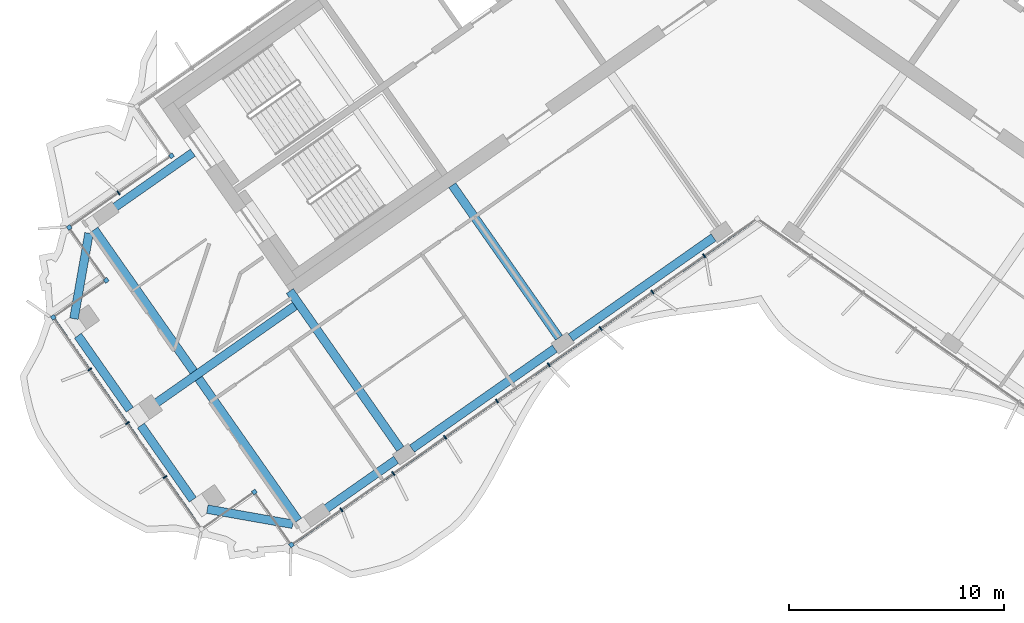
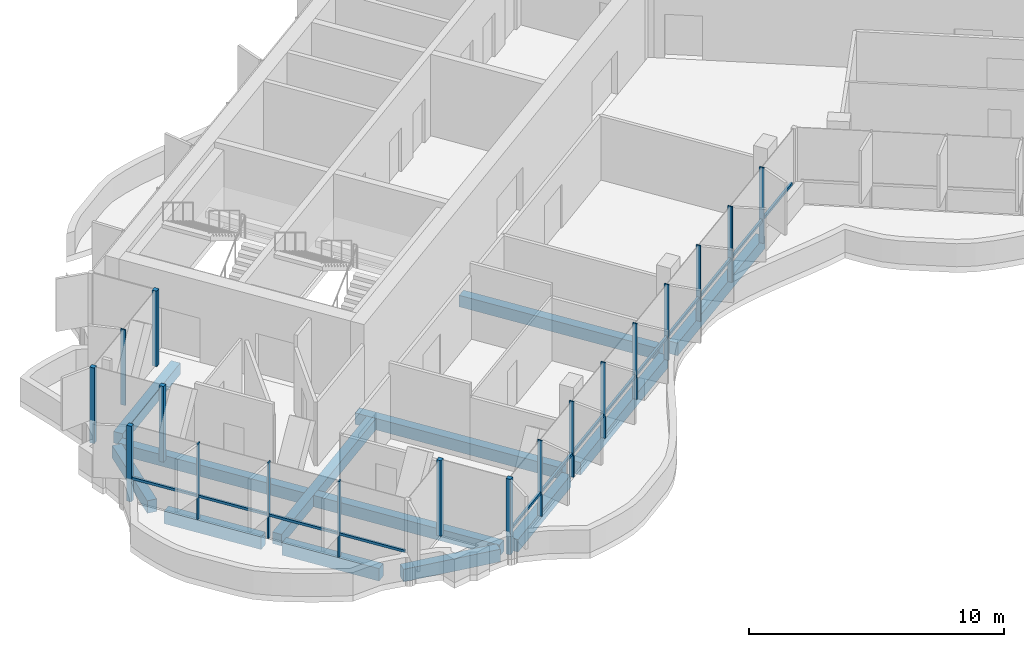
# One storey, part 2 of 17: 20 members, 12 beams, 2 elements without a shape of their own.
"""IFC4 building model written with IfcOpenShell, lengths in metres."""

from ifc_helpers import new_model, si_unit, direction, frame, origin, origin_2d, place, context, subcontext, project, spatial, rectangle, extrude, material, material_profile, profile_set, type_object, element, aggregate, save


model = new_model("IFC4")

# Units and contexts
model_context = context("Model", 3, precision=1e-05, world=origin(), true_north=direction((0.0, 1.0)))
body_context = subcontext(model_context, "Body", "Model", "MODEL_VIEW")
ifc_project = project(units=[si_unit("LENGTHUNIT", "METRE"), si_unit("AREAUNIT", "SQUARE_METRE"), si_unit("VOLUMEUNIT", "CUBIC_METRE"), si_unit("PLANEANGLEUNIT", "RADIAN"), si_unit("MASSUNIT", "GRAM", prefix="KILO")], contexts=[model_context])

# Site, building, storey
site_placement = place(None, origin())
site = spatial("IfcSite", under=ifc_project, at=site_placement, CompositionType="ELEMENT")
building_placement = place(site_placement, origin())
building = spatial("IfcBuilding", under=site, at=building_placement, Name="Tel Ilan Convention Tower", CompositionType="ELEMENT")
storey_placement = place(building_placement, frame((0.0, 0.0, 291.699951171875)))
storey = spatial("IfcBuildingStorey", under=building, at=storey_placement, Name="L69", CompositionType="ELEMENT", Elevation=291.699951171875)

# Beams
ifc_material_1 = material(Name="Concrete C40/50", Category="concrete")
ifc_material_profile_1 = material_profile(ifc_material_1, rectangle(XDim=0.39990234375, YDim=0.550048828125, at=origin_2d()), Name="RC 400x550")
ifc_profile_set_1 = profile_set([ifc_material_profile_1], Name="Concrete C40/50")
beam_type_1 = type_object("IfcBeamType", Name="Beam RC 400x550 Concrete C40/50", PredefinedType="BEAM", material=ifc_profile_set_1)
beam_1_placement = place(storey_placement, frame((-30.6005859375, -12.6982421875, -0.554931640625), z_axis=(0.819146154531, 0.573584847705, 0.0), x_axis=(-0.573584847705, 0.819146154531, 0.0)))
element("IfcBeam", 1, at=beam_1_placement, inside=storey, type_object=beam_type_1, Name="L69 beam W-W-BC-core", PredefinedType="BEAM", context=body_context, shape_type="SweptSolid", body=[
    extrude(rectangle(XDim=0.39990234375, YDim=0.550048828125, at=origin_2d()), origin(), (0.0, 0.0, 1.0), 5.349853515625),
])
beam_2_placement = place(storey_placement, frame((-9.209716796875, -18.229248046875, -0.554931640625), z_axis=(-0.573574099654, 0.819153680457, 0.0), x_axis=(-0.819153680457, -0.573574099654, 0.0)))
element("IfcBeam", 2, at=beam_2_placement, inside=storey, type_object=beam_type_1, Name="L69 beam W-W-F2-core", PredefinedType="BEAM", context=body_context, shape_type="SweptSolid", body=[
    extrude(rectangle(XDim=0.39990234375, YDim=0.550048828125, at=origin_2d()), origin(), (0.0, 0.0, 1.0), 8.64990234375),
])
beam_3_placement = place(storey_placement, frame((-16.58203125, -23.391357421875, -0.554931640625), z_axis=(-0.573584999642, 0.819146048141, 0.0), x_axis=(-0.819146048141, -0.573584999642, 0.0)))
element("IfcBeam", 3, at=beam_3_placement, inside=storey, type_object=beam_type_1, Name="L69 beam W-W-F3-core", PredefinedType="BEAM", context=body_context, shape_type="SweptSolid", body=[
    extrude(rectangle(XDim=0.39990234375, YDim=0.550048828125, at=origin_2d()), origin(), (0.0, 0.0, 1.0), 8.949951171875),
])
beam_4_placement = place(storey_placement, frame((-21.477783203125, -16.748046875, -0.554931640625), z_axis=(-0.819157197737, -0.573569076395, 0.0), x_axis=(0.573569076395, -0.819157197737, 0.0)))
element("IfcBeam", 4, at=beam_4_placement, inside=storey, type_object=beam_type_1, Name="L69 beam W-core-end", PredefinedType="BEAM", context=body_context, shape_type="SweptSolid", body=[
    extrude(rectangle(XDim=0.39990234375, YDim=0.550048828125, at=origin_2d()), origin(), (0.0, 0.0, 1.0), 8.75),
])
beam_5_placement = place(storey_placement, frame((-21.333251953125, -26.718017578125, -0.554931640625), z_axis=(-0.573574554643, 0.819153361872, 0.0), x_axis=(-0.819153361872, -0.573574554643, 0.0)))
element("IfcBeam", 5, at=beam_5_placement, inside=storey, type_object=beam_type_1, Name="L69 beam W-W-FC-W-BC", PredefinedType="BEAM", context=body_context, shape_type="SweptSolid", body=[
    extrude(rectangle(XDim=0.39990234375, YDim=0.550048828125, at=origin_2d()), origin(), (0.0, 0.0, 1.0), 16.499755859375),
])
ifc_material_2 = material(Name="Concrete C40/50", Category="concrete")
ifc_material_profile_2 = material_profile(ifc_material_2, rectangle(XDim=0.39990234375, YDim=0.60009765625, at=origin_2d()), Name="RC 400x600")
ifc_profile_set_2 = profile_set([ifc_material_profile_2], Name="Concrete C40/50")
beam_type_2 = type_object("IfcBeamType", Name="Beam RC 400x600 Concrete C40/50", PredefinedType="BEAM", material=ifc_profile_set_2)
beam_6_placement = place(storey_placement, frame((-2.033935546875, -13.57080078125, -0.579833984375), z_axis=(-0.81914553362, -0.573585734437, 0.0), x_axis=(0.573585734437, -0.81914553362, 0.0)))
element("IfcBeam", 6, at=beam_6_placement, inside=storey, type_object=beam_type_2, Name="L69 beam W-W-F1-W-F2", PredefinedType="BEAM", context=body_context, shape_type="SweptSolid", body=[
    extrude(rectangle(XDim=0.39990234375, YDim=0.60009765625, at=origin_2d()), origin(), (0.0, 0.0, 1.0), 8.099853515625),
])
beam_7_placement = place(storey_placement, frame((-9.40625, -18.73291015625, -0.579833984375), z_axis=(-0.819155449703, -0.573571572885, 0.0), x_axis=(0.573571572885, -0.819155449703, 0.0)))
element("IfcBeam", 7, at=beam_7_placement, inside=storey, type_object=beam_type_2, Name="L69 beam W-W-F2-W-F3", PredefinedType="BEAM", context=body_context, shape_type="SweptSolid", body=[
    extrude(rectangle(XDim=0.39990234375, YDim=0.60009765625, at=origin_2d()), origin(), (0.0, 0.0, 1.0), 8.10009765625),
])
beam_8_placement = place(storey_placement, frame((-16.778564453125, -23.895263671875, -0.579833984375), z_axis=(-0.819154669329, -0.573572687386, 0.0), x_axis=(0.573572687386, -0.819154669329, 0.0)))
element("IfcBeam", 8, at=beam_8_placement, inside=storey, type_object=beam_type_2, Name="L69 beam W-W-F3-W-FC", PredefinedType="BEAM", context=body_context, shape_type="SweptSolid", body=[
    extrude(rectangle(XDim=0.39990234375, YDim=0.60009765625, at=origin_2d()), origin(), (0.0, 0.0, 1.0), 4.900146484375),
])
beam_9_placement = place(storey_placement, frame((-21.578857421875, -26.89013671875, -0.579833984375), z_axis=(-0.984804894423, 0.173664388751, 0.0), x_axis=(-0.173664388751, -0.984804894423, 0.0)))
element("IfcBeam", 9, at=beam_9_placement, inside=storey, type_object=beam_type_2, Name="L69 beam W-W-FC-W-E1", PredefinedType="BEAM", context=body_context, shape_type="SweptSolid", body=[
    extrude(rectangle(XDim=0.39990234375, YDim=0.60009765625, at=origin_2d()), origin(), (0.0, 0.0, 1.0), 4.030517578125),
])
for number, where, z_axis, x_axis, name in (
    (10, (-26.22412109375, -25.748046875, -0.579833984375), (-0.573563773994, 0.819160910421, 0.0), (-0.819160910421, -0.573563773994, 0.0), "L69 beam W-W-E1-W-E2"),
    (11, (-29.1494140625, -21.5703125, -0.579833984375), (-0.573563773994, 0.819160910421, 0.0), (-0.819160910421, -0.573563773994, 0.0), "L69 beam W-W-E2-W-E3"),
):
    element("IfcBeam", number, at=place(storey_placement, frame(where, z_axis=z_axis, x_axis=x_axis)), inside=storey, type_object=beam_type_2, Name=name, PredefinedType="BEAM", context=body_context, shape_type="SweptSolid", body=[
        extrude(rectangle(XDim=0.39990234375, YDim=0.60009765625, at=origin_2d()), origin(), (0.0, 0.0, 1.0), 4.199951171875),
    ])
beam_10_placement = place(storey_placement, frame((-31.742919921875, -17.343505859375, -0.579833984375), z_axis=(0.173664388751, 0.984804894423, 0.0), x_axis=(-0.984804894423, 0.173664388751, 0.0)))
element("IfcBeam", 12, at=beam_10_placement, inside=storey, type_object=beam_type_2, Name="L69 beam W-W-E3-W-BC", PredefinedType="BEAM", context=body_context, shape_type="SweptSolid", body=[
    extrude(rectangle(XDim=0.39990234375, YDim=0.60009765625, at=origin_2d()), origin(), (0.0, 0.0, 1.0), 4.030517578125),
])

# Curtain wall, member
ifc_material_3 = material(Name="Aluminium, bronze anodised", Category="aluminium")
curtain_wall_type_1 = type_object("IfcCurtainWallType", Name="CW2 STICK CURTAIN WALL, SPANDREL PANELS", PredefinedType="NOTDEFINED", material=ifc_material_3)
curtain_wall_1_placement = place(storey_placement, origin())
curtain_wall_1 = element("IfcCurtainWall", 13, at=curtain_wall_1_placement, inside=storey, type_object=curtain_wall_type_1, Name="Curtain wall CW2-52.01", PredefinedType="NOTDEFINED")
ifc_material_4 = material(Name="Aluminium, bronze anodised", Category="aluminium")
ifc_material_profile_3 = material_profile(ifc_material_4, rectangle(XDim=0.199951171875, YDim=0.199951171875, at=origin_2d()), Name="CW CORNER MULLION 200x200")
ifc_profile_set_3 = profile_set([ifc_material_profile_3], Name="Aluminium, bronze anodised")
member_type_1 = type_object("IfcMemberType", Name="CW CORNER MULLION 200x200", PredefinedType="MULLION", material=ifc_profile_set_3)
member_1_placement = place(storey_placement, frame((-27.213623046875, -9.77734375, 0.0), z_axis=(0.0, 0.0, 1.0), x_axis=(0.573576436351, -0.819152044289, 0.0)))
member_1 = element("IfcMember", 14, at=member_1_placement, type_object=member_type_1, Name="Corner mullion", PredefinedType="MULLION", context=body_context, shape_type="SweptSolid", body=[
    extrude(rectangle(XDim=0.199951171875, YDim=0.199951171875, at=origin_2d()), origin(), (0.0, 0.0, 1.0), 3.6201171875),
])
aggregate(curtain_wall_1, [member_1])

# Curtain wall, members
ifc_material_5 = material(Name="Aluminium, bronze anodised", Category="aluminium")
curtain_wall_type_2 = type_object("IfcCurtainWallType", Name="CW5 STICK CURTAIN WALL, UPPER OFFICE LOW-IRON TINTED GLASS", PredefinedType="NOTDEFINED", material=ifc_material_5)
curtain_wall_2_placement = place(storey_placement, origin())
curtain_wall_2 = element("IfcCurtainWall", 15, at=curtain_wall_2_placement, inside=storey, type_object=curtain_wall_type_2, Name="Curtain wall CW5-52.02", PredefinedType="NOTDEFINED")
member_2_placement = place(storey_placement, frame((-31.964599609375, -13.10400390625, 0.0), z_axis=(0.0, 0.0, 1.0), x_axis=(-0.819152044289, -0.573576436351, 0.0)))
member_2 = element("IfcMember", 16, at=member_2_placement, type_object=member_type_1, Name="Corner mullion", PredefinedType="MULLION", context=body_context, shape_type="SweptSolid", body=[
    extrude(rectangle(XDim=0.199951171875, YDim=0.199951171875, at=origin_2d()), origin(), (0.0, 0.0, 1.0), 3.6201171875),
])
member_3_placement = place(storey_placement, frame((-30.243896484375, -15.5615234375, 0.0), z_axis=(0.0, 0.0, 1.0), x_axis=(0.573576436351, -0.819152044289, 0.0)))
member_3 = element("IfcMember", 17, at=member_3_placement, type_object=member_type_1, Name="Corner mullion", PredefinedType="MULLION", context=body_context, shape_type="SweptSolid", body=[
    extrude(rectangle(XDim=0.199951171875, YDim=0.199951171875, at=origin_2d()), origin(), (0.0, 0.0, 1.0), 3.6201171875),
])
member_4_placement = place(storey_placement, frame((-32.701416015625, -17.2822265625, 0.0), z_axis=(0.0, 0.0, 1.0), x_axis=(-0.819152044289, -0.573576436351, 0.0)))
member_4 = element("IfcMember", 18, at=member_4_placement, type_object=member_type_1, Name="Corner mullion", PredefinedType="MULLION", context=body_context, shape_type="SweptSolid", body=[
    extrude(rectangle(XDim=0.199951171875, YDim=0.199951171875, at=origin_2d()), origin(), (0.0, 0.0, 1.0), 3.6201171875),
])
member_5_placement = place(storey_placement, frame((-23.36083984375, -25.391357421875, 0.0), z_axis=(0.0, 0.0, 1.0), x_axis=(0.819152044289, 0.573576436351, 0.0)))
member_5 = element("IfcMember", 19, at=member_5_placement, type_object=member_type_1, Name="Corner mullion", PredefinedType="MULLION", context=body_context, shape_type="SweptSolid", body=[
    extrude(rectangle(XDim=0.199951171875, YDim=0.199951171875, at=origin_2d()), origin(), (0.0, 0.0, 1.0), 3.6201171875),
])
member_6_placement = place(storey_placement, frame((-21.64013671875, -27.8486328125, 0.0), z_axis=(0.0, 0.0, 1.0), x_axis=(0.573576436351, -0.819152044289, 0.0)))
member_6 = element("IfcMember", 20, at=member_6_placement, type_object=member_type_1, Name="Corner mullion", PredefinedType="MULLION", context=body_context, shape_type="SweptSolid", body=[
    extrude(rectangle(XDim=0.199951171875, YDim=0.199951171875, at=origin_2d()), origin(), (0.0, 0.0, 1.0), 3.6201171875),
])
ifc_material_6 = material(Name="Aluminium, bronze anodised", Category="aluminium")
ifc_material_profile_4 = material_profile(ifc_material_6, rectangle(XDim=0.06005859375, YDim=0.199951171875, at=origin_2d()), Name="CW MULLION 60x200")
ifc_profile_set_4 = profile_set([ifc_material_profile_4], Name="Aluminium, bronze anodised")
member_type_2 = type_object("IfcMemberType", Name="CW MULLION 60x200", PredefinedType="MULLION", material=ifc_profile_set_4)
member_7_placement = place(storey_placement, frame((-29.6708984375, -11.498046875, 0.0), z_axis=(0.0, 0.0, 1.0), x_axis=(-0.819152044289, -0.573576436351, 0.0)))
member_7 = element("IfcMember", 21, at=member_7_placement, type_object=member_type_2, Name="Mullion", PredefinedType="MULLION", context=body_context, shape_type="SweptSolid", body=[
    extrude(rectangle(XDim=0.06005859375, YDim=0.199951171875, at=origin_2d()), origin(), (0.0, 0.0, 1.0), 3.6201171875),
])
member_8_placement = place(storey_placement, frame((-31.00927734375, -19.69873046875, 0.0), z_axis=(0.0, 0.0, 1.0), x_axis=(0.573576436351, -0.819152044289, 0.0)))
member_8 = element("IfcMember", 22, at=member_8_placement, type_object=member_type_2, Name="Mullion", PredefinedType="MULLION", context=body_context, shape_type="SweptSolid", body=[
    extrude(rectangle(XDim=0.06005859375, YDim=0.199951171875, at=origin_2d()), origin(), (0.0, 0.0, 1.0), 3.6201171875),
])
member_9_placement = place(storey_placement, frame((-29.259765625, -22.197021484375, 0.0), z_axis=(0.0, 0.0, 1.0), x_axis=(0.573576436351, -0.819152044289, 0.0)))
member_9 = element("IfcMember", 23, at=member_9_placement, type_object=member_type_2, Name="Mullion", PredefinedType="MULLION", context=body_context, shape_type="SweptSolid", body=[
    extrude(rectangle(XDim=0.06005859375, YDim=0.199951171875, at=origin_2d()), origin(), (0.0, 0.0, 1.0), 3.6201171875),
])
member_10_placement = place(storey_placement, frame((-27.510498046875, -24.695556640625, 0.0), z_axis=(0.0, 0.0, 1.0), x_axis=(0.573576436351, -0.819152044289, 0.0)))
member_10 = element("IfcMember", 24, at=member_10_placement, type_object=member_type_2, Name="Mullion", PredefinedType="MULLION", context=body_context, shape_type="SweptSolid", body=[
    extrude(rectangle(XDim=0.06005859375, YDim=0.199951171875, at=origin_2d()), origin(), (0.0, 0.0, 1.0), 3.6201171875),
])
member_11_placement = place(storey_placement, frame((-19.31494140625, -26.220458984375, 0.0), z_axis=(0.0, 0.0, 1.0), x_axis=(0.819152044289, 0.573576436351, 0.0)))
member_11 = element("IfcMember", 25, at=member_11_placement, type_object=member_type_2, Name="Mullion", PredefinedType="MULLION", context=body_context, shape_type="SweptSolid", body=[
    extrude(rectangle(XDim=0.06005859375, YDim=0.199951171875, at=origin_2d()), origin(), (0.0, 0.0, 1.0), 3.6201171875),
])
member_12_placement = place(storey_placement, frame((-16.90771484375, -24.534912109375, 0.0), z_axis=(0.0, 0.0, 1.0), x_axis=(0.819152044289, 0.573576436351, 0.0)))
member_12 = element("IfcMember", 26, at=member_12_placement, type_object=member_type_2, Name="Mullion", PredefinedType="MULLION", context=body_context, shape_type="SweptSolid", body=[
    extrude(rectangle(XDim=0.06005859375, YDim=0.199951171875, at=origin_2d()), origin(), (0.0, 0.0, 1.0), 3.6201171875),
])
member_13_placement = place(storey_placement, frame((-14.50048828125, -22.849365234375, 0.0), z_axis=(0.0, 0.0, 1.0), x_axis=(0.819152044289, 0.573576436351, 0.0)))
member_13 = element("IfcMember", 27, at=member_13_placement, type_object=member_type_2, Name="Mullion", PredefinedType="MULLION", context=body_context, shape_type="SweptSolid", body=[
    extrude(rectangle(XDim=0.06005859375, YDim=0.199951171875, at=origin_2d()), origin(), (0.0, 0.0, 1.0), 3.6201171875),
])
member_14_placement = place(storey_placement, frame((-12.09326171875, -21.163818359375, 0.0), z_axis=(0.0, 0.0, 1.0), x_axis=(0.819152044289, 0.573576436351, 0.0)))
member_14 = element("IfcMember", 28, at=member_14_placement, type_object=member_type_2, Name="Mullion", PredefinedType="MULLION", context=body_context, shape_type="SweptSolid", body=[
    extrude(rectangle(XDim=0.06005859375, YDim=0.199951171875, at=origin_2d()), origin(), (0.0, 0.0, 1.0), 3.6201171875),
])
member_15_placement = place(storey_placement, frame((-9.68603515625, -19.478271484375, 0.0), z_axis=(0.0, 0.0, 1.0), x_axis=(0.819152044289, 0.573576436351, 0.0)))
member_15 = element("IfcMember", 29, at=member_15_placement, type_object=member_type_2, Name="Mullion", PredefinedType="MULLION", context=body_context, shape_type="SweptSolid", body=[
    extrude(rectangle(XDim=0.06005859375, YDim=0.199951171875, at=origin_2d()), origin(), (0.0, 0.0, 1.0), 3.6201171875),
])
member_16_placement = place(storey_placement, frame((-7.279052734375, -17.792724609375, 0.0), z_axis=(0.0, 0.0, 1.0), x_axis=(0.819152044289, 0.573576436351, 0.0)))
member_16 = element("IfcMember", 30, at=member_16_placement, type_object=member_type_2, Name="Mullion", PredefinedType="MULLION", context=body_context, shape_type="SweptSolid", body=[
    extrude(rectangle(XDim=0.06005859375, YDim=0.199951171875, at=origin_2d()), origin(), (0.0, 0.0, 1.0), 3.6201171875),
])
member_17_placement = place(storey_placement, frame((-4.871826171875, -16.107177734375, 0.0), z_axis=(0.0, 0.0, 1.0), x_axis=(0.819152044289, 0.573576436351, 0.0)))
member_17 = element("IfcMember", 31, at=member_17_placement, type_object=member_type_2, Name="Mullion", PredefinedType="MULLION", context=body_context, shape_type="SweptSolid", body=[
    extrude(rectangle(XDim=0.06005859375, YDim=0.199951171875, at=origin_2d()), origin(), (0.0, 0.0, 1.0), 3.6201171875),
])
member_18_placement = place(storey_placement, frame((-2.464599609375, -14.421875, 0.0), z_axis=(0.0, 0.0, 1.0), x_axis=(0.819152044289, 0.573576436351, 0.0)))
member_18 = element("IfcMember", 32, at=member_18_placement, type_object=member_type_2, Name="Mullion", PredefinedType="MULLION", context=body_context, shape_type="SweptSolid", body=[
    extrude(rectangle(XDim=0.06005859375, YDim=0.199951171875, at=origin_2d()), origin(), (0.0, 0.0, 1.0), 3.6201171875),
])
ifc_material_7 = material(Name="Aluminium, bronze anodised", Category="aluminium")
ifc_material_profile_5 = material_profile(ifc_material_7, rectangle(XDim=0.10009765625, YDim=0.1201171875, at=origin_2d()), Name="CW TRANSOM 100x120")
ifc_profile_set_5 = profile_set([ifc_material_profile_5], Name="Aluminium, bronze anodised")
member_type_3 = type_object("IfcMemberType", Name="CW TRANSOM 100x120", PredefinedType="USERDEFINED", material=ifc_profile_set_5)
member_19_placement = place(storey_placement, frame((-32.64404296875, -17.364013671875, 1.10009765625), z_axis=(0.573581755582, -0.819148319698, 0.0), x_axis=(0.819148319698, 0.573581755582, 0.0)))
member_19 = element("IfcMember", 33, at=member_19_placement, type_object=member_type_3, Name="Transom", ObjectType="TRANSOM", PredefinedType="USERDEFINED", context=body_context, shape_type="SweptSolid", body=[
    extrude(rectangle(XDim=0.10009765625, YDim=0.1201171875, at=origin_2d()), origin(), (0.0, 0.0, 1.0), 11.800048828125),
])
member_20_placement = place(storey_placement, frame((-21.558349609375, -27.791259765625, 1.10009765625), z_axis=(0.819152212587, 0.573576195996, 0.0), x_axis=(-0.573576195996, 0.819152212587, 0.0)))
member_20 = element("IfcMember", 34, at=member_20_placement, type_object=member_type_3, Name="Transom", ObjectType="TRANSOM", PredefinedType="USERDEFINED", context=body_context, shape_type="SweptSolid", body=[
    extrude(rectangle(XDim=0.10009765625, YDim=0.1201171875, at=origin_2d()), origin(), (0.0, 0.0, 1.0), 26.0478515625),
])
aggregate(curtain_wall_2, [member_7, member_2, member_3, member_4, member_8, member_9, member_10, member_19, member_5, member_6, member_11, member_12, member_13, member_14, member_15, member_16, member_17, member_18, member_20])

save(model, "model.ifc")
